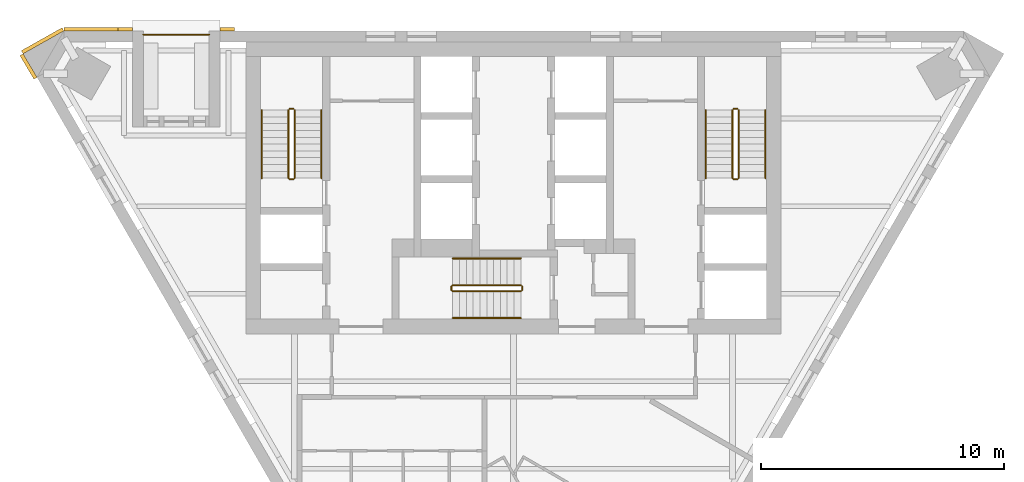
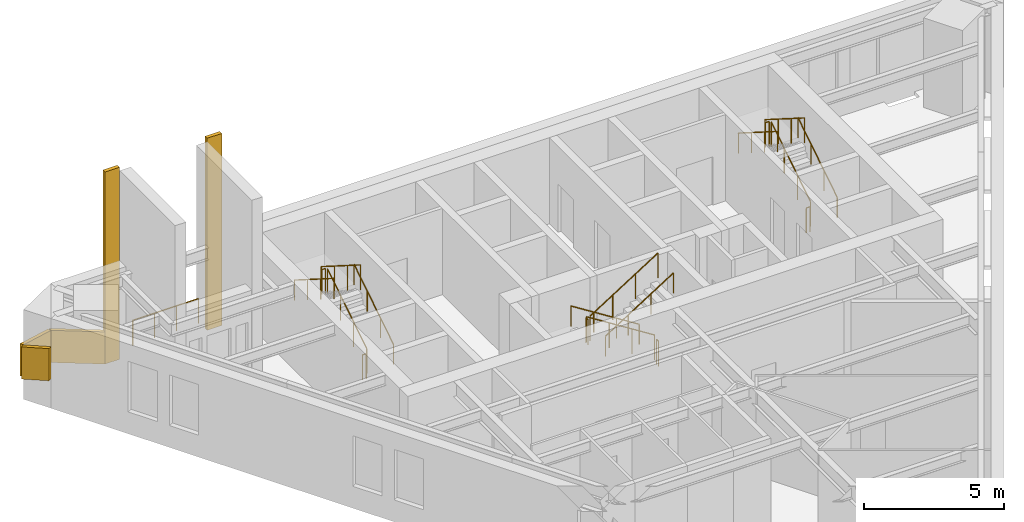
# One storey, part 6 of 6: 19 railings, 5 coverings.
"""IFC4 building model written with IfcOpenShell, lengths in metres."""

import ifcopenshell
import ifcopenshell.guid

model = None  # the IFC model being written
_history = None  # IfcOwnerHistory: only IFC2X3 demands one
_inside = {}  # id of a spatial element -> (the spatial element, [elements in it])
_under = {}  # id of a project, library or spatial element -> (it, [spatial elements below it])
_declared = {}  # id of a project -> (the project, [libraries it declares])
_typed = {}  # id of a type object -> (the type object, [elements of that type])
_made_of = {}  # id of a material, layer set ... -> (it, [elements and type objects made of it])


def new_model(schema):
    """Start an empty IFC model of exactly this schema.

    Asked for "IFC4X3", IfcOpenShell would pick the latest addendum, in which some entities
    have other attributes; the version numbers below select the first issue.
    IFC2X3 requires an IfcOwnerHistory on every rooted entity: one is made here for all.
    """
    global model, _history
    if schema == "IFC4X3":
        model = ifcopenshell.file(schema_version=(4, 3, 0, 0))
    else:
        model = ifcopenshell.file(schema=schema)
    _inside.clear()
    _under.clear()
    _declared.clear()
    _typed.clear()
    _made_of.clear()
    _history = None
    if model.schema == "IFC2X3":
        org = make("IfcOrganization", Name="unknown")
        user = make(
            "IfcPersonAndOrganization",
            ThePerson=make("IfcPerson", FamilyName="unknown"),
            TheOrganization=org,
        )
        app = make(
            "IfcApplication",
            ApplicationDeveloper=org,
            Version="unknown",
            ApplicationFullName="unknown",
            ApplicationIdentifier="unknown",
        )
        _history = make(
            "IfcOwnerHistory",
            OwningUser=user,
            OwningApplication=app,
            ChangeAction="ADDED",
            CreationDate=0,
        )
    return model


def make(cls, **values):
    """One entity of the class cls with the attributes given. An attribute that is None is left unset."""
    return model.create_entity(
        cls, **{name: value for name, value in values.items() if value is not None}
    )


def rooted(cls, **values):
    """An entity with a GlobalId (a new one), such as an element, a storey or a relation."""
    return make(cls, GlobalId=ifcopenshell.guid.new(), OwnerHistory=_history, **values)


def si_unit(unit_type, name, prefix=None):
    """IfcSIUnit, for example si_unit("LENGTHUNIT", "METRE", prefix="MILLI")."""
    return make("IfcSIUnit", UnitType=unit_type, Prefix=prefix, Name=name)


def assignment(units):
    """IfcUnitAssignment: the units of a project."""
    return None if units is None else make("IfcUnitAssignment", Units=units)


def point(xyz):
    """IfcCartesianPoint."""
    return None if xyz is None else make("IfcCartesianPoint", Coordinates=xyz)


def direction(xyz):
    """IfcDirection."""
    return None if xyz is None else make("IfcDirection", DirectionRatios=xyz)


def frame(location, z_axis=None, x_axis=None):
    """IfcAxis2Placement3D, a coordinate frame: its origin and axes. An axis left out is left unset."""
    return make(
        "IfcAxis2Placement3D",
        Location=point(location),
        Axis=direction(z_axis),
        RefDirection=direction(x_axis),
    )


def frame_2d(location, x_axis=None):
    """IfcAxis2Placement2D, a coordinate frame in the plane: its origin and x axis."""
    return make(
        "IfcAxis2Placement2D", Location=point(location), RefDirection=direction(x_axis)
    )


def origin():
    """The frame at (0, 0, 0) with its axes left unset."""
    return frame((0.0, 0.0, 0.0))


def origin_2d():
    """The frame at (0, 0) in the plane with its x axis left unset."""
    return frame_2d((0.0, 0.0))


def place(relative_to, where):
    """IfcLocalPlacement: puts the frame where relative to a parent placement (None: the world)."""
    return make(
        "IfcLocalPlacement", PlacementRelTo=relative_to, RelativePlacement=where
    )


def context(
    kind, dimensions, precision=None, world=None, true_north=None, identifier=None
):
    """IfcGeometricRepresentationContext, for example the 3D "Model" context."""
    return make(
        "IfcGeometricRepresentationContext",
        ContextIdentifier=identifier,
        ContextType=kind,
        CoordinateSpaceDimension=dimensions,
        Precision=precision,
        WorldCoordinateSystem=world,
        TrueNorth=true_north,
    )


def subcontext(parent, identifier, kind, view, scale=None):
    """IfcGeometricRepresentationSubContext, for example "Body" below "Model"."""
    return make(
        "IfcGeometricRepresentationSubContext",
        ContextIdentifier=identifier,
        ContextType=kind,
        ParentContext=parent,
        TargetScale=scale,
        TargetView=view,
    )


def project(units=None, contexts=None):
    """IfcProject with its units and contexts."""
    return rooted(
        "IfcProject",
        Name="project",
        RepresentationContexts=contexts,
        UnitsInContext=assignment(units),
    )


def spatial(cls, under=None, at=None, **own):
    """A site, building, storey or space (cls), placed at a placement, below another one or the project."""
    s = rooted(cls, ObjectPlacement=at, **own)
    if under is not None:
        _under.setdefault(under.id(), (under, []))[1].append(s)
    return s


def polyline(points):
    """IfcPolyline through the points."""
    return make("IfcPolyline", Points=[point(p) for p in points])


def profile(cls, at=None, kind="AREA", **sizes):
    """A parametric profile (cls). Its sizes go by their IFC names, for example OverallWidth=200.0."""
    return make(cls, ProfileType=kind, Position=at, **sizes)


def circle(**sizes):
    """IfcCircleProfileDef."""
    return profile("IfcCircleProfileDef", **sizes)


def outline(outer, holes=None, kind="AREA"):
    """IfcArbitraryClosedProfileDef: a profile drawn as a closed curve; with holes, ...WithVoids."""
    if holes is None:
        return make("IfcArbitraryClosedProfileDef", ProfileType=kind, OuterCurve=outer)
    return make(
        "IfcArbitraryProfileDefWithVoids",
        ProfileType=kind,
        OuterCurve=outer,
        InnerCurves=holes,
    )


def extrude(swept, where, along, depth):
    """IfcExtrudedAreaSolid: the profile swept, set in the frame where, extruded along a direction by depth."""
    return make(
        "IfcExtrudedAreaSolid",
        SweptArea=swept,
        Position=where,
        ExtrudedDirection=direction(along),
        Depth=depth,
    )


def shape(context_of_items, identifier, shape_type, items):
    """IfcShapeRepresentation: the items that make up one representation, for example the "Body"."""
    return make(
        "IfcShapeRepresentation",
        ContextOfItems=context_of_items,
        RepresentationIdentifier=identifier,
        RepresentationType=shape_type,
        Items=items,
    )


def material(Name=None, Category=None):
    """IfcMaterial."""
    return make("IfcMaterial", Name=Name, Category=Category)


def layer(
    of_material, thickness, ventilated=None, Name=None, Category=None, Priority=None
):
    """IfcMaterialLayer: one layer of a wall or slab, of a material (None: an air gap)."""
    return make(
        "IfcMaterialLayer",
        Material=of_material,
        LayerThickness=thickness,
        IsVentilated=ventilated,
        Name=Name,
        Category=Category,
        Priority=Priority,
    )


def layer_set(layers, Name=None):
    """IfcMaterialLayerSet."""
    return make("IfcMaterialLayerSet", MaterialLayers=layers, LayerSetName=Name)


def made_of(thing, what):
    """Note that an element or type object is made of a material, layer set ...; save() writes the relation."""
    if what is not None:
        _made_of.setdefault(what.id(), (what, []))[1].append(thing)
    return thing


def type_object(cls, material=None, **own):
    """A type object (cls), such as IfcWallType, which elements share."""
    return made_of(rooted(cls, **own), material)


def element(
    cls,
    number,
    at=None,
    inside=None,
    cuts=None,
    type_object=None,
    material=None,
    context=None,
    identifier="Body",
    shape_type=None,
    held_by="IfcProductDefinitionShape",
    body=None,
    shapes=None,
    **own,
):
    """One element of the class cls, such as IfcWall. Its Tag is "e" and its number.

    at: its placement. inside: the storey or other place that contains it. cuts: it is an
    opening in that element (IfcRelVoidsElement). A single representation is given by context,
    identifier, shape_type and body (its items); several are given by shapes. held_by: the class
    of the entity that holds the representations. save() writes the other relations.
    """
    e = rooted(cls, Tag="e%d" % number, ObjectPlacement=at, **own)
    if body is not None:
        shapes = [shape(context, identifier, shape_type, body)]
    if shapes is not None:
        e.Representation = make(held_by, Representations=shapes)
    if inside is not None:
        _inside.setdefault(inside.id(), (inside, []))[1].append(e)
    if cuts is not None:
        rooted(
            "IfcRelVoidsElement", RelatingBuildingElement=cuts, RelatedOpeningElement=e
        )
    if type_object is not None:
        _typed.setdefault(type_object.id(), (type_object, []))[1].append(e)
    return made_of(e, material)


def aggregate(whole, parts):
    """IfcRelAggregates: a whole, such as a stair, and the parts it consists of."""
    return rooted("IfcRelAggregates", RelatingObject=whole, RelatedObjects=parts)


def save(model, path):
    """Write the relations noted so far, then the file.

    IfcRelAggregates (storeys below a building ...), IfcRelContainedInSpatialStructure (elements
    in a storey), IfcRelDefinesByType, IfcRelAssociatesMaterial and IfcRelDeclares: one each for
    every whole, place, type object, material and project.
    """
    for whole, parts in _under.values():
        aggregate(whole, parts)
    for where, things in _inside.values():
        rooted(
            "IfcRelContainedInSpatialStructure",
            RelatedElements=things,
            RelatingStructure=where,
        )
    for kind, things in _typed.values():
        rooted("IfcRelDefinesByType", RelatedObjects=things, RelatingType=kind)
    for what, things in _made_of.values():
        rooted("IfcRelAssociatesMaterial", RelatedObjects=things, RelatingMaterial=what)
    for by, libraries in _declared.values():
        rooted("IfcRelDeclares", RelatingContext=by, RelatedDefinitions=libraries)
    model.write(path)


model = new_model("IFC4")

# Units and contexts
model_context = context("Model", 3, precision=1e-05, world=origin(), true_north=direction((0.0, 1.0)))
body_context = subcontext(model_context, "Body", "Model", "MODEL_VIEW")
ifc_project = project(units=[si_unit("LENGTHUNIT", "METRE"), si_unit("AREAUNIT", "SQUARE_METRE"), si_unit("VOLUMEUNIT", "CUBIC_METRE"), si_unit("PLANEANGLEUNIT", "RADIAN"), si_unit("MASSUNIT", "GRAM", prefix="KILO")], contexts=[model_context])

# Site, building, storey
site_placement = place(None, origin())
site = spatial("IfcSite", under=ifc_project, at=site_placement, CompositionType="ELEMENT")
building_placement = place(site_placement, origin())
building = spatial("IfcBuilding", under=site, at=building_placement, Name="Aloe Facet Convention Tower", CompositionType="ELEMENT")
storey_placement = place(building_placement, frame((0.0, 0.0, 250.39990234375)))
storey = spatial("IfcBuildingStorey", under=building, at=storey_placement, Name="L61", CompositionType="ELEMENT", Elevation=250.39990234375)

# Railings
ifc_material_1 = material(Name="Steel S355 balustrade", Category="steel")
railing_type_1 = type_object("IfcRailingType", Name="CR-RL-GUARD", PredefinedType="GUARDRAIL", material=ifc_material_1)
railing_1_placement = place(storey_placement, frame((71.0, 128.949951171875, 0.177490234375)))
element("IfcRailing", 1, at=railing_1_placement, inside=storey, type_object=railing_type_1, Name="L61 ST1 stair guard 1", PredefinedType="GUARDRAIL", context=body_context, shape_type="SweptSolid", body=[
    extrude(circle(Radius=0.02392578125, at=origin_2d()), frame((0.0, 0.0, 1.076171875), z_axis=(0.0, 0.844908973607, 0.534910110503), x_axis=(-1.0, 0.0, 0.0)), (0.0, 0.0, 1.0), 3.31396484375),
    extrude(circle(Radius=0.02099609375, at=origin_2d()), origin(), (0.0, 0.0, 1.0), 1.052001953125),
    extrude(circle(Radius=0.02099609375, at=origin_2d()), frame((0.0, 0.933349609375, 0.5908203125)), (0.0, 0.0, 1.0), 1.052001953125),
    extrude(circle(Radius=0.02099609375, at=origin_2d()), frame((0.0, 1.86669921875, 1.181884765625)), (0.0, 0.0, 1.0), 1.052001953125),
    extrude(circle(Radius=0.02099609375, at=origin_2d()), frame((0.0, 2.800048828125, 1.772705078125)), (0.0, 0.0, 1.0), 1.052001953125),
])
railing_2_placement = place(storey_placement, frame((70.949951171875, 131.800048828125, 1.9501953125)))
element("IfcRailing", 2, at=railing_2_placement, inside=storey, type_object=railing_type_1, Name="L61 ST1 stair guard 2", PredefinedType="GUARDRAIL", context=body_context, shape_type="SweptSolid", body=[
    extrude(circle(Radius=0.02392578125, at=origin_2d()), frame((0.0, 0.0, 1.076171875), z_axis=(-1.0, 0.0, 0.0), x_axis=(0.0, -1.0, 0.0)), (0.0, 0.0, 1.0), 0.14990234375),
    extrude(circle(Radius=0.02099609375, at=origin_2d()), origin(), (0.0, 0.0, 1.0), 1.052001953125),
    extrude(circle(Radius=0.02099609375, at=origin_2d()), frame((-0.14990234375, 0.0, 0.0)), (0.0, 0.0, 1.0), 1.052001953125),
])
railing_3_placement = place(storey_placement, frame((70.75, 131.75, 2.12744140625)))
element("IfcRailing", 3, at=railing_3_placement, inside=storey, type_object=railing_type_1, Name="L61 ST1 stair guard 3", PredefinedType="GUARDRAIL", context=body_context, shape_type="SweptSolid", body=[
    extrude(circle(Radius=0.02392578125, at=origin_2d()), frame((0.0, 0.0, 1.076171875), z_axis=(0.0, -0.844908973607, 0.534910110503), x_axis=(1.0, 0.0, 0.0)), (0.0, 0.0, 1.0), 3.31396484375),
    extrude(circle(Radius=0.02099609375, at=origin_2d()), origin(), (0.0, 0.0, 1.0), 1.052001953125),
    extrude(circle(Radius=0.02099609375, at=origin_2d()), frame((0.0, -0.933349609375, 0.5908203125)), (0.0, 0.0, 1.0), 1.052001953125),
    extrude(circle(Radius=0.02099609375, at=origin_2d()), frame((0.0, -1.86669921875, 1.181884765625)), (0.0, 0.0, 1.0), 1.052001953125),
    extrude(circle(Radius=0.02099609375, at=origin_2d()), frame((0.0, -2.800048828125, 1.772705078125)), (0.0, 0.0, 1.0), 1.052001953125),
])
railing_4_placement = place(storey_placement, frame((70.949951171875, 128.89990234375, 0.0)))
element("IfcRailing", 4, at=railing_4_placement, inside=storey, type_object=railing_type_1, Name="L61 ST1 stair guard 4", PredefinedType="GUARDRAIL", context=body_context, shape_type="SweptSolid", body=[
    extrude(circle(Radius=0.02392578125, at=origin_2d()), frame((0.0, 0.0, 1.076171875), z_axis=(-1.0, 0.0, 0.0), x_axis=(0.0, -1.0, 0.0)), (0.0, 0.0, 1.0), 0.14990234375),
    extrude(circle(Radius=0.02099609375, at=origin_2d()), origin(), (0.0, 0.0, 1.0), 1.052001953125),
    extrude(circle(Radius=0.02099609375, at=origin_2d()), frame((-0.14990234375, 0.0, 0.0)), (0.0, 0.0, 1.0), 1.052001953125),
])
railing_5_placement = place(storey_placement, frame((89.25, 128.949951171875, 0.177490234375)))
element("IfcRailing", 5, at=railing_5_placement, inside=storey, type_object=railing_type_1, Name="L61 ST2 stair guard 1", PredefinedType="GUARDRAIL", context=body_context, shape_type="SweptSolid", body=[
    extrude(circle(Radius=0.02392578125, at=origin_2d()), frame((0.0, 0.0, 1.076171875), z_axis=(0.0, 0.844908973607, 0.534910110503), x_axis=(-1.0, 0.0, 0.0)), (0.0, 0.0, 1.0), 3.31396484375),
    extrude(circle(Radius=0.02099609375, at=origin_2d()), origin(), (0.0, 0.0, 1.0), 1.052001953125),
    extrude(circle(Radius=0.02099609375, at=origin_2d()), frame((0.0, 0.933349609375, 0.5908203125)), (0.0, 0.0, 1.0), 1.052001953125),
    extrude(circle(Radius=0.02099609375, at=origin_2d()), frame((0.0, 1.86669921875, 1.181884765625)), (0.0, 0.0, 1.0), 1.052001953125),
    extrude(circle(Radius=0.02099609375, at=origin_2d()), frame((0.0, 2.800048828125, 1.772705078125)), (0.0, 0.0, 1.0), 1.052001953125),
])
railing_6_placement = place(storey_placement, frame((89.199951171875, 131.800048828125, 1.9501953125)))
element("IfcRailing", 6, at=railing_6_placement, inside=storey, type_object=railing_type_1, Name="L61 ST2 stair guard 2", PredefinedType="GUARDRAIL", context=body_context, shape_type="SweptSolid", body=[
    extrude(circle(Radius=0.02392578125, at=origin_2d()), frame((0.0, 0.0, 1.076171875), z_axis=(-1.0, 0.0, 0.0), x_axis=(0.0, -1.0, 0.0)), (0.0, 0.0, 1.0), 0.14990234375),
    extrude(circle(Radius=0.02099609375, at=origin_2d()), origin(), (0.0, 0.0, 1.0), 1.052001953125),
    extrude(circle(Radius=0.02099609375, at=origin_2d()), frame((-0.14990234375, 0.0, 0.0)), (0.0, 0.0, 1.0), 1.052001953125),
])
railing_7_placement = place(storey_placement, frame((89.0, 131.75, 2.12744140625)))
element("IfcRailing", 7, at=railing_7_placement, inside=storey, type_object=railing_type_1, Name="L61 ST2 stair guard 3", PredefinedType="GUARDRAIL", context=body_context, shape_type="SweptSolid", body=[
    extrude(circle(Radius=0.02392578125, at=origin_2d()), frame((0.0, 0.0, 1.076171875), z_axis=(0.0, -0.844908973607, 0.534910110503), x_axis=(1.0, 0.0, 0.0)), (0.0, 0.0, 1.0), 3.31396484375),
    extrude(circle(Radius=0.02099609375, at=origin_2d()), origin(), (0.0, 0.0, 1.0), 1.052001953125),
    extrude(circle(Radius=0.02099609375, at=origin_2d()), frame((0.0, -0.933349609375, 0.5908203125)), (0.0, 0.0, 1.0), 1.052001953125),
    extrude(circle(Radius=0.02099609375, at=origin_2d()), frame((0.0, -1.86669921875, 1.181884765625)), (0.0, 0.0, 1.0), 1.052001953125),
    extrude(circle(Radius=0.02099609375, at=origin_2d()), frame((0.0, -2.800048828125, 1.772705078125)), (0.0, 0.0, 1.0), 1.052001953125),
])
railing_8_placement = place(storey_placement, frame((89.199951171875, 128.89990234375, 0.0)))
element("IfcRailing", 8, at=railing_8_placement, inside=storey, type_object=railing_type_1, Name="L61 ST2 stair guard 4", PredefinedType="GUARDRAIL", context=body_context, shape_type="SweptSolid", body=[
    extrude(circle(Radius=0.02392578125, at=origin_2d()), frame((0.0, 0.0, 1.076171875), z_axis=(-1.0, 0.0, 0.0), x_axis=(0.0, -1.0, 0.0)), (0.0, 0.0, 1.0), 0.14990234375),
    extrude(circle(Radius=0.02099609375, at=origin_2d()), origin(), (0.0, 0.0, 1.0), 1.052001953125),
    extrude(circle(Radius=0.02099609375, at=origin_2d()), frame((-0.14990234375, 0.0, 0.0)), (0.0, 0.0, 1.0), 1.052001953125),
])
railing_9_placement = place(storey_placement, frame((80.300048828125, 124.550048828125, 0.177490234375)))
element("IfcRailing", 9, at=railing_9_placement, inside=storey, type_object=railing_type_1, Name="L61 ST3 stair guard 1", PredefinedType="GUARDRAIL", context=body_context, shape_type="SweptSolid", body=[
    extrude(circle(Radius=0.02392578125, at=origin_2d()), frame((0.0, 0.0, 1.076171875), z_axis=(-0.844908973607, 0.0, 0.534910110503), x_axis=(0.0, -1.0, 0.0)), (0.0, 0.0, 1.0), 3.31396484375),
    extrude(circle(Radius=0.02099609375, at=origin_2d()), origin(), (0.0, 0.0, 1.0), 1.052001953125),
    extrude(circle(Radius=0.02099609375, at=origin_2d()), frame((-0.933349609375, 0.0, 0.5908203125)), (0.0, 0.0, 1.0), 1.052001953125),
    extrude(circle(Radius=0.02099609375, at=origin_2d()), frame((-1.86669921875, 0.0, 1.181884765625)), (0.0, 0.0, 1.0), 1.052001953125),
    extrude(circle(Radius=0.02099609375, at=origin_2d()), frame((-2.800048828125, 0.0, 1.772705078125)), (0.0, 0.0, 1.0), 1.052001953125),
])
railing_10_placement = place(storey_placement, frame((77.449951171875, 124.5, 1.9501953125)))
element("IfcRailing", 10, at=railing_10_placement, inside=storey, type_object=railing_type_1, Name="L61 ST3 stair guard 2", PredefinedType="GUARDRAIL", context=body_context, shape_type="SweptSolid", body=[
    extrude(circle(Radius=0.02392578125, at=origin_2d()), frame((0.0, 0.0, 1.076171875), z_axis=(0.0, -1.0, 0.0), x_axis=(1.0, 0.0, 0.0)), (0.0, 0.0, 1.0), 0.14990234375),
    extrude(circle(Radius=0.02099609375, at=origin_2d()), origin(), (0.0, 0.0, 1.0), 1.052001953125),
    extrude(circle(Radius=0.02099609375, at=origin_2d()), frame((0.0, -0.14990234375, 0.0)), (0.0, 0.0, 1.0), 1.052001953125),
])
railing_11_placement = place(storey_placement, frame((77.5, 124.300048828125, 2.12744140625)))
element("IfcRailing", 11, at=railing_11_placement, inside=storey, type_object=railing_type_1, Name="L61 ST3 stair guard 3", PredefinedType="GUARDRAIL", context=body_context, shape_type="SweptSolid", body=[
    extrude(circle(Radius=0.02392578125, at=origin_2d()), frame((0.0, 0.0, 1.076171875), z_axis=(0.844908973607, 0.0, 0.534910110503), x_axis=(0.0, 1.0, 0.0)), (0.0, 0.0, 1.0), 3.31396484375),
    extrude(circle(Radius=0.02099609375, at=origin_2d()), origin(), (0.0, 0.0, 1.0), 1.052001953125),
    extrude(circle(Radius=0.02099609375, at=origin_2d()), frame((0.933349609375, 0.0, 0.5908203125)), (0.0, 0.0, 1.0), 1.052001953125),
    extrude(circle(Radius=0.02099609375, at=origin_2d()), frame((1.86669921875, 0.0, 1.181884765625)), (0.0, 0.0, 1.0), 1.052001953125),
    extrude(circle(Radius=0.02099609375, at=origin_2d()), frame((2.800048828125, 0.0, 1.772705078125)), (0.0, 0.0, 1.0), 1.052001953125),
])
railing_12_placement = place(storey_placement, frame((80.35009765625, 124.5, 0.0)))
element("IfcRailing", 12, at=railing_12_placement, inside=storey, type_object=railing_type_1, Name="L61 ST3 stair guard 4", PredefinedType="GUARDRAIL", context=body_context, shape_type="SweptSolid", body=[
    extrude(circle(Radius=0.02392578125, at=origin_2d()), frame((0.0, 0.0, 1.076171875), z_axis=(0.0, -1.0, 0.0), x_axis=(1.0, 0.0, 0.0)), (0.0, 0.0, 1.0), 0.14990234375),
    extrude(circle(Radius=0.02099609375, at=origin_2d()), origin(), (0.0, 0.0, 1.0), 1.052001953125),
    extrude(circle(Radius=0.02099609375, at=origin_2d()), frame((0.0, -0.14990234375, 0.0)), (0.0, 0.0, 1.0), 1.052001953125),
])
ifc_material_2 = material(Name="Steel S355 handrail", Category="steel")
railing_type_2 = type_object("IfcRailingType", Name="CR-RL-HAND", PredefinedType="HANDRAIL", material=ifc_material_2)
railing_13_placement = place(storey_placement, frame((72.10009765625, 128.949951171875, 0.177490234375)))
element("IfcRailing", 13, at=railing_13_placement, inside=storey, type_object=railing_type_2, Name="L61 ST1 stair handrail 1", PredefinedType="HANDRAIL", context=body_context, shape_type="SweptSolid", body=[
    extrude(circle(Radius=0.02392578125, at=origin_2d()), frame((0.0, 0.0, 0.8759765625), z_axis=(0.0, 0.844908973607, 0.534910110503), x_axis=(-1.0, 0.0, 0.0)), (0.0, 0.0, 1.0), 3.31396484375),
    extrude(circle(Radius=0.02099609375, at=origin_2d()), origin(), (0.0, 0.0, 1.0), 0.851806640625),
    extrude(circle(Radius=0.02099609375, at=origin_2d()), frame((0.0, 0.933349609375, 0.5908203125)), (0.0, 0.0, 1.0), 0.851806640625),
    extrude(circle(Radius=0.02099609375, at=origin_2d()), frame((0.0, 1.86669921875, 1.181884765625)), (0.0, 0.0, 1.0), 0.851806640625),
    extrude(circle(Radius=0.02099609375, at=origin_2d()), frame((0.0, 2.800048828125, 1.772705078125)), (0.0, 0.0, 1.0), 0.851806640625),
])
railing_14_placement = place(storey_placement, frame((69.64990234375, 131.75, 2.12744140625)))
element("IfcRailing", 14, at=railing_14_placement, inside=storey, type_object=railing_type_2, Name="L61 ST1 stair handrail 2", PredefinedType="HANDRAIL", context=body_context, shape_type="SweptSolid", body=[
    extrude(circle(Radius=0.02392578125, at=origin_2d()), frame((0.0, 0.0, 0.8759765625), z_axis=(0.0, -0.844908973607, 0.534910110503), x_axis=(1.0, 0.0, 0.0)), (0.0, 0.0, 1.0), 3.31396484375),
    extrude(circle(Radius=0.02099609375, at=origin_2d()), origin(), (0.0, 0.0, 1.0), 0.851806640625),
    extrude(circle(Radius=0.02099609375, at=origin_2d()), frame((0.0, -0.933349609375, 0.5908203125)), (0.0, 0.0, 1.0), 0.851806640625),
    extrude(circle(Radius=0.02099609375, at=origin_2d()), frame((0.0, -1.86669921875, 1.181884765625)), (0.0, 0.0, 1.0), 0.851806640625),
    extrude(circle(Radius=0.02099609375, at=origin_2d()), frame((0.0, -2.800048828125, 1.772705078125)), (0.0, 0.0, 1.0), 0.851806640625),
])
railing_15_placement = place(storey_placement, frame((90.35009765625, 128.949951171875, 0.177490234375)))
element("IfcRailing", 15, at=railing_15_placement, inside=storey, type_object=railing_type_2, Name="L61 ST2 stair handrail 1", PredefinedType="HANDRAIL", context=body_context, shape_type="SweptSolid", body=[
    extrude(circle(Radius=0.02392578125, at=origin_2d()), frame((0.0, 0.0, 0.8759765625), z_axis=(0.0, 0.844908973607, 0.534910110503), x_axis=(-1.0, 0.0, 0.0)), (0.0, 0.0, 1.0), 3.31396484375),
    extrude(circle(Radius=0.02099609375, at=origin_2d()), origin(), (0.0, 0.0, 1.0), 0.851806640625),
    extrude(circle(Radius=0.02099609375, at=origin_2d()), frame((0.0, 0.933349609375, 0.5908203125)), (0.0, 0.0, 1.0), 0.851806640625),
    extrude(circle(Radius=0.02099609375, at=origin_2d()), frame((0.0, 1.86669921875, 1.181884765625)), (0.0, 0.0, 1.0), 0.851806640625),
    extrude(circle(Radius=0.02099609375, at=origin_2d()), frame((0.0, 2.800048828125, 1.772705078125)), (0.0, 0.0, 1.0), 0.851806640625),
])
railing_16_placement = place(storey_placement, frame((87.89990234375, 131.75, 2.12744140625)))
element("IfcRailing", 16, at=railing_16_placement, inside=storey, type_object=railing_type_2, Name="L61 ST2 stair handrail 2", PredefinedType="HANDRAIL", context=body_context, shape_type="SweptSolid", body=[
    extrude(circle(Radius=0.02392578125, at=origin_2d()), frame((0.0, 0.0, 0.8759765625), z_axis=(0.0, -0.844908973607, 0.534910110503), x_axis=(1.0, 0.0, 0.0)), (0.0, 0.0, 1.0), 3.31396484375),
    extrude(circle(Radius=0.02099609375, at=origin_2d()), origin(), (0.0, 0.0, 1.0), 0.851806640625),
    extrude(circle(Radius=0.02099609375, at=origin_2d()), frame((0.0, -0.933349609375, 0.5908203125)), (0.0, 0.0, 1.0), 0.851806640625),
    extrude(circle(Radius=0.02099609375, at=origin_2d()), frame((0.0, -1.86669921875, 1.181884765625)), (0.0, 0.0, 1.0), 0.851806640625),
    extrude(circle(Radius=0.02099609375, at=origin_2d()), frame((0.0, -2.800048828125, 1.772705078125)), (0.0, 0.0, 1.0), 0.851806640625),
])
railing_17_placement = place(storey_placement, frame((80.300048828125, 125.64990234375, 0.177490234375)))
element("IfcRailing", 17, at=railing_17_placement, inside=storey, type_object=railing_type_2, Name="L61 ST3 stair handrail 1", PredefinedType="HANDRAIL", context=body_context, shape_type="SweptSolid", body=[
    extrude(circle(Radius=0.02392578125, at=origin_2d()), frame((0.0, 0.0, 0.8759765625), z_axis=(-0.844908973607, 0.0, 0.534910110503), x_axis=(0.0, -1.0, 0.0)), (0.0, 0.0, 1.0), 3.31396484375),
    extrude(circle(Radius=0.02099609375, at=origin_2d()), origin(), (0.0, 0.0, 1.0), 0.851806640625),
    extrude(circle(Radius=0.02099609375, at=origin_2d()), frame((-0.933349609375, 0.0, 0.5908203125)), (0.0, 0.0, 1.0), 0.851806640625),
    extrude(circle(Radius=0.02099609375, at=origin_2d()), frame((-1.86669921875, 0.0, 1.181884765625)), (0.0, 0.0, 1.0), 0.851806640625),
    extrude(circle(Radius=0.02099609375, at=origin_2d()), frame((-2.800048828125, 0.0, 1.772705078125)), (0.0, 0.0, 1.0), 0.851806640625),
])
railing_18_placement = place(storey_placement, frame((77.5, 123.199951171875, 2.12744140625)))
element("IfcRailing", 18, at=railing_18_placement, inside=storey, type_object=railing_type_2, Name="L61 ST3 stair handrail 2", PredefinedType="HANDRAIL", context=body_context, shape_type="SweptSolid", body=[
    extrude(circle(Radius=0.02392578125, at=origin_2d()), frame((0.0, 0.0, 0.8759765625), z_axis=(0.844908973607, 0.0, 0.534910110503), x_axis=(0.0, 1.0, 0.0)), (0.0, 0.0, 1.0), 3.31396484375),
    extrude(circle(Radius=0.02099609375, at=origin_2d()), origin(), (0.0, 0.0, 1.0), 0.851806640625),
    extrude(circle(Radius=0.02099609375, at=origin_2d()), frame((0.933349609375, 0.0, 0.5908203125)), (0.0, 0.0, 1.0), 0.851806640625),
    extrude(circle(Radius=0.02099609375, at=origin_2d()), frame((1.86669921875, 0.0, 1.181884765625)), (0.0, 0.0, 1.0), 0.851806640625),
    extrude(circle(Radius=0.02099609375, at=origin_2d()), frame((2.800048828125, 0.0, 1.772705078125)), (0.0, 0.0, 1.0), 0.851806640625),
])

# Coverings
ifc_material_3 = material(Name="Bronze oxide fascia sheet")
ifc_layer = layer(ifc_material_3, 0.14990234375)
ifc_layer_set = layer_set([ifc_layer], Name="EV-FASCIA-TERR")
covering_type = type_object("IfcCoveringType", Name="EV-FASCIA-TERR", PredefinedType="CLADDING", material=ifc_layer_set)
covering_1_placement = place(storey_placement, frame((0.0, 0.0, -0.5498046875)))
element("IfcCovering", 19, at=covering_1_placement, inside=storey, type_object=covering_type, Name="Terrace frame T13 1", PredefinedType="CLADDING", context=body_context, shape_type="SweptSolid", body=[
    extrude(outline(polyline([(68.535400390625, 135.14990234375), (67.935302734375, 135.14990234375), (67.935302734375, 135.0), (68.535400390625, 135.0), (68.535400390625, 135.14990234375)])), origin(), (0.0, 0.0, 1.0), 8.349853515625),
])
covering_2_placement = place(storey_placement, frame((0.0, 0.0, -0.5498046875)))
element("IfcCovering", 20, at=covering_2_placement, inside=storey, type_object=covering_type, Name="Terrace frame T13 2", PredefinedType="CLADDING", context=body_context, shape_type="SweptSolid", body=[
    extrude(outline(polyline([(64.33544921875, 135.14990234375), (63.7353515625, 135.14990234375), (63.7353515625, 135.0), (64.33544921875, 135.0), (64.33544921875, 135.14990234375)])), origin(), (0.0, 0.0, 1.0), 8.349853515625),
])
covering_3_placement = place(storey_placement, frame((63.7353515625, 135.14990234375, -0.5498046875), z_axis=(0.0, 1.0, 0.0), x_axis=(-0.93466824278, 0.0, 0.3555211329)))
element("IfcCovering", 21, at=covering_3_placement, inside=storey, type_object=covering_type, Name="Spiral ribbon zone 5 part 2", PredefinedType="CLADDING", context=body_context, shape_type="SweptSolid", body=[
    extrude(outline(polyline([(0.0, 0.0), (2.376710200689051, 0.0), (2.87440506788903, 1.3084442636962184), (0.4976948671999792, 1.3084442636962181), (0.0, 0.0)])), origin(), (0.0, 0.0, -1.0), 0.14990234375),
])
covering_4_placement = place(storey_placement, frame((61.4404296875, 135.130859375, 0.295166015625), z_axis=(-0.490110171988, 0.871660495442, 0.0), x_axis=(-0.840426644428, -0.472548256343, 0.265294554717)))
element("IfcCovering", 22, at=covering_4_placement, inside=storey, type_object=covering_type, Name="Spiral ribbon zone 5 part 3 over the corner spine", PredefinedType="CLADDING", context=body_context, shape_type="SweptSolid", body=[
    extrude(outline(polyline([(0.0, 0.0), (1.9896074829499995, 0.0), (2.3609939518818557, 1.3497402204613562), (0.37138646893185606, 1.3497402204613562), (0.0, 0.0)])), origin(), (0.0, 0.0, -1.0), 0.14990234375),
])
covering_5_placement = place(storey_placement, frame((59.712890625, 133.9833984375, 0.822998046875), z_axis=(-0.860245576201, -0.509879935502, 0.0), x_axis=(0.491592858532, -0.829392475364, 0.265413984654)))
element("IfcCovering", 23, at=covering_5_placement, inside=storey, type_object=covering_type, Name="Spiral ribbon zone 5 part 4 over the corner spine", PredefinedType="CLADDING", context=body_context, shape_type="SweptSolid", body=[
    extrude(outline(polyline([(0.0, 0.0), (1.1636082063578315, 0.0), (1.5351618655383599, 1.3496942062505501), (0.37155365918052835, 1.3496942062505501), (0.0, 0.0)])), origin(), (0.0, 0.0, -1.0), 0.14990234375),
])

# Railing
ifc_material_4 = material(Name="Steel S355, bronze oxide finish", Category="steel")
railing_type_3 = type_object("IfcRailingType", Name="EV-GUARD-TERR", PredefinedType="GUARDRAIL", material=ifc_material_4)
railing_19_placement = place(storey_placement, frame((67.4853515625, 134.85009765625, 0.0)))
element("IfcRailing", 24, at=railing_19_placement, inside=storey, type_object=railing_type_3, Name="GUARD T13", PredefinedType="GUARDRAIL", context=body_context, shape_type="SweptSolid", body=[
    extrude(circle(Radius=0.02392578125, at=origin_2d()), frame((0.0, 0.0, 1.076171875), z_axis=(-1.0, 0.0, 0.0), x_axis=(0.0, -1.0, 0.0)), (0.0, 0.0, 1.0), 2.699951171875),
    extrude(circle(Radius=0.02099609375, at=origin_2d()), origin(), (0.0, 0.0, 1.0), 1.052001953125),
    extrude(circle(Radius=0.02099609375, at=origin_2d()), frame((-0.89990234375, 0.0, 0.0)), (0.0, 0.0, 1.0), 1.052001953125),
    extrude(circle(Radius=0.02099609375, at=origin_2d()), frame((-1.800048828125, 0.0, 0.0)), (0.0, 0.0, 1.0), 1.052001953125),
    extrude(circle(Radius=0.02099609375, at=origin_2d()), frame((-2.699951171875, 0.0, 0.0)), (0.0, 0.0, 1.0), 1.052001953125),
])

save(model, "model.ifc")
